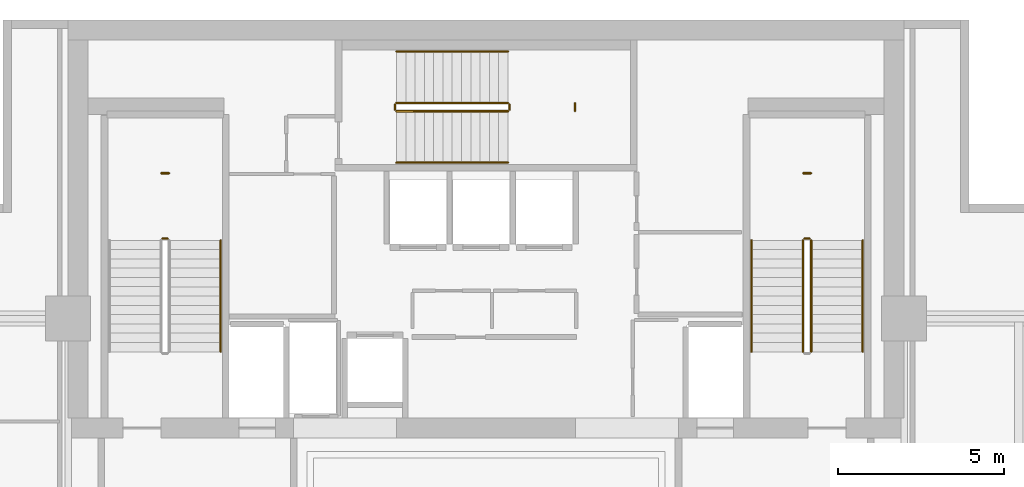
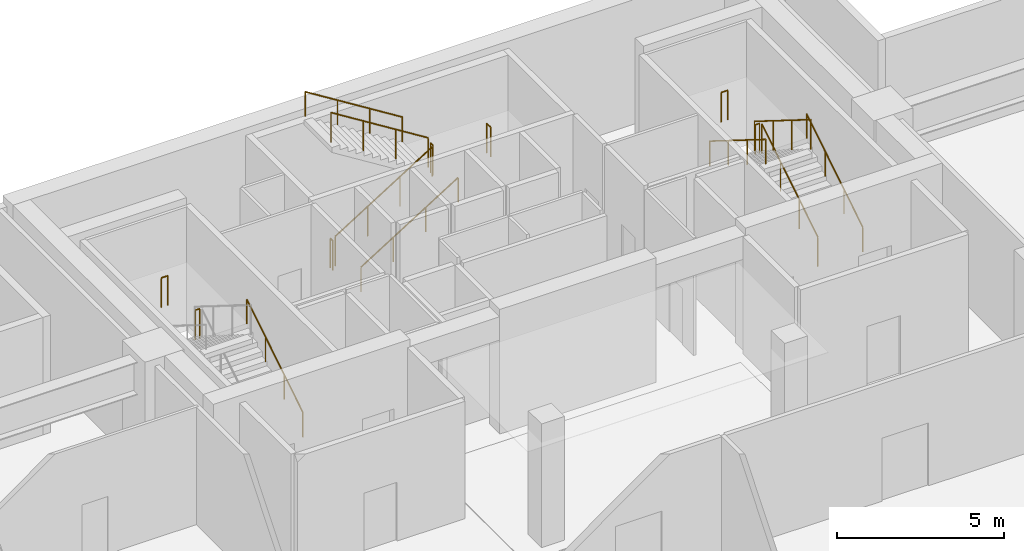
# One storey, part 23 of 23: 16 railings.
"""IFC4 building model written with IfcOpenShell, lengths in metres."""

from ifc_helpers import new_model, si_unit, direction, frame, origin, origin_2d, place, context, subcontext, project, spatial, circle, extrude, material, type_object, element, save


model = new_model("IFC4")

# Units and contexts
model_context = context("Model", 3, precision=1e-05, world=origin(), true_north=direction((0.0, 1.0)))
body_context = subcontext(model_context, "Body", "Model", "MODEL_VIEW")
ifc_project = project(units=[si_unit("LENGTHUNIT", "METRE"), si_unit("AREAUNIT", "SQUARE_METRE"), si_unit("VOLUMEUNIT", "CUBIC_METRE"), si_unit("PLANEANGLEUNIT", "RADIAN"), si_unit("MASSUNIT", "GRAM", prefix="KILO")], contexts=[model_context])

# Site, building, storey
site_placement = place(None, origin())
site = spatial("IfcSite", under=ifc_project, at=site_placement, CompositionType="ELEMENT")
building_placement = place(site_placement, origin())
building = spatial("IfcBuilding", under=site, at=building_placement, Name="Maruvema Waterfront Hotel and Observation Tower", CompositionType="ELEMENT")
storey_placement = place(building_placement, frame((0.0, 0.0, 349.64990234375)))
storey = spatial("IfcBuildingStorey", under=building, at=storey_placement, Name="L86", CompositionType="ELEMENT", Elevation=349.64990234375)

# Railings
ifc_material_1 = material(Name="Brushed stainless steel Grade 316", Category="steel")
railing_type_1 = type_object("IfcRailingType", Name="Ramp Continuous Wall Handrail 920 mm", PredefinedType="HANDRAIL", material=ifc_material_1)
railing_1_placement = place(storey_placement, frame((29.800048828125, 44.0, 0.175048828125)))
element("IfcRailing", 1, at=railing_1_placement, inside=storey, type_object=railing_type_1, Name="L86 ST-01 stair handrail 1", PredefinedType="HANDRAIL", context=body_context, shape_type="SweptSolid", body=[
    extrude(circle(Radius=0.02392578125, at=origin_2d()), frame((0.0, 0.0, 0.89599609375), z_axis=(0.0, 0.847994842521, 0.530004478338), x_axis=(-1.0, 0.0, 0.0)), (0.0, 0.0, 1.0), 3.96240234375),
    extrude(circle(Radius=0.02099609375, at=origin_2d()), origin(), (0.0, 0.0, 1.0), 0.871826171875),
    extrude(circle(Radius=0.02099609375, at=origin_2d()), frame((0.0, 1.1201171875, 0.699951171875)), (0.0, 0.0, 1.0), 0.871826171875),
    extrude(circle(Radius=0.02099609375, at=origin_2d()), frame((0.0, 2.239990234375, 1.400146484375)), (0.0, 0.0, 1.0), 0.871826171875),
    extrude(circle(Radius=0.02099609375, at=origin_2d()), frame((0.0, 3.360107421875, 2.10009765625)), (0.0, 0.0, 1.0), 0.871826171875),
])
railing_2_placement = place(storey_placement, frame((35.10009765625, 49.699951171875, 0.175048828125)))
element("IfcRailing", 2, at=railing_2_placement, inside=storey, type_object=railing_type_1, Name="L86 ST-02 stair handrail 1", PredefinedType="HANDRAIL", context=body_context, shape_type="SweptSolid", body=[
    extrude(circle(Radius=0.02392578125, at=origin_2d()), frame((0.0, 0.0, 0.89599609375), z_axis=(0.847977533471, 0.0, 0.530032171408), x_axis=(0.0, 1.0, 0.0)), (0.0, 0.0, 1.0), 3.962158203125),
    extrude(circle(Radius=0.02099609375, at=origin_2d()), origin(), (0.0, 0.0, 1.0), 0.871826171875),
    extrude(circle(Radius=0.02099609375, at=origin_2d()), frame((1.119873046875, 0.0, 0.699951171875)), (0.0, 0.0, 1.0), 0.871826171875),
    extrude(circle(Radius=0.02099609375, at=origin_2d()), frame((2.239990234375, 0.0, 1.400146484375)), (0.0, 0.0, 1.0), 0.871826171875),
    extrude(circle(Radius=0.02099609375, at=origin_2d()), frame((3.35986328125, 0.0, 2.10009765625)), (0.0, 0.0, 1.0), 0.871826171875),
])
railing_3_placement = place(storey_placement, frame((38.4599609375, 53.050048828125, 2.4501953125)))
element("IfcRailing", 3, at=railing_3_placement, inside=storey, type_object=railing_type_1, Name="L86 ST-02 stair handrail 2", PredefinedType="HANDRAIL", context=body_context, shape_type="SweptSolid", body=[
    extrude(circle(Radius=0.02392578125, at=origin_2d()), frame((0.0, 0.0, 0.89599609375), z_axis=(-0.848005227453, 0.0, 0.529987862325), x_axis=(0.0, -1.0, 0.0)), (0.0, 0.0, 1.0), 3.962158203125),
    extrude(circle(Radius=0.02099609375, at=origin_2d()), origin(), (0.0, 0.0, 1.0), 0.871826171875),
    extrude(circle(Radius=0.02099609375, at=origin_2d()), frame((-1.119873046875, 0.0, 0.699951171875)), (0.0, 0.0, 1.0), 0.871826171875),
    extrude(circle(Radius=0.02099609375, at=origin_2d()), frame((-2.239990234375, 0.0, 1.39990234375)), (0.0, 0.0, 1.0), 0.871826171875),
    extrude(circle(Radius=0.02099609375, at=origin_2d()), frame((-3.35986328125, 0.0, 2.099853515625)), (0.0, 0.0, 1.0), 0.871826171875),
])
railing_4_placement = place(storey_placement, frame((49.14990234375, 44.0, 0.175048828125)))
element("IfcRailing", 4, at=railing_4_placement, inside=storey, type_object=railing_type_1, Name="L86 ST-03 stair handrail 1", PredefinedType="HANDRAIL", context=body_context, shape_type="SweptSolid", body=[
    extrude(circle(Radius=0.02392578125, at=origin_2d()), frame((0.0, 0.0, 0.89599609375), z_axis=(0.0, 0.847994842521, 0.530004478338), x_axis=(-1.0, 0.0, 0.0)), (0.0, 0.0, 1.0), 3.96240234375),
    extrude(circle(Radius=0.02099609375, at=origin_2d()), origin(), (0.0, 0.0, 1.0), 0.871826171875),
    extrude(circle(Radius=0.02099609375, at=origin_2d()), frame((0.0, 1.1201171875, 0.699951171875)), (0.0, 0.0, 1.0), 0.871826171875),
    extrude(circle(Radius=0.02099609375, at=origin_2d()), frame((0.0, 2.239990234375, 1.400146484375)), (0.0, 0.0, 1.0), 0.871826171875),
    extrude(circle(Radius=0.02099609375, at=origin_2d()), frame((0.0, 3.360107421875, 2.10009765625)), (0.0, 0.0, 1.0), 0.871826171875),
])
railing_5_placement = place(storey_placement, frame((45.800048828125, 47.360107421875, 2.4501953125)))
element("IfcRailing", 5, at=railing_5_placement, inside=storey, type_object=railing_type_1, Name="L86 ST-03 stair handrail 2", PredefinedType="HANDRAIL", context=body_context, shape_type="SweptSolid", body=[
    extrude(circle(Radius=0.02392578125, at=origin_2d()), frame((0.0, 0.0, 0.89599609375), z_axis=(0.0, -0.848022534174, 0.529960169762), x_axis=(1.0, 0.0, 0.0)), (0.0, 0.0, 1.0), 3.96240234375),
    extrude(circle(Radius=0.02099609375, at=origin_2d()), origin(), (0.0, 0.0, 1.0), 0.871826171875),
    extrude(circle(Radius=0.02099609375, at=origin_2d()), frame((0.0, -1.1201171875, 0.699951171875)), (0.0, 0.0, 1.0), 0.871826171875),
    extrude(circle(Radius=0.02099609375, at=origin_2d()), frame((0.0, -2.239990234375, 1.39990234375)), (0.0, 0.0, 1.0), 0.871826171875),
    extrude(circle(Radius=0.02099609375, at=origin_2d()), frame((0.0, -3.360107421875, 2.099853515625)), (0.0, 0.0, 1.0), 0.871826171875),
])
ifc_material_2 = material(Name="Brushed stainless steel Grade 316", Category="steel")
railing_type_2 = type_object("IfcRailingType", Name="Ramp and Terrace Guard Balustrade 1100 mm", PredefinedType="BALUSTRADE", material=ifc_material_2)
railing_6_placement = place(storey_placement, frame((28.199951171875, 47.409912109375, 2.275146484375)))
element("IfcRailing", 6, at=railing_6_placement, inside=storey, type_object=railing_type_2, Name="L86 ST-01 stair guard 2", PredefinedType="BALUSTRADE", context=body_context, shape_type="SweptSolid", body=[
    extrude(circle(Radius=0.02392578125, at=origin_2d()), frame((0.0, 0.0, 1.076171875), z_axis=(-1.0, 0.0, 0.0), x_axis=(0.0, -1.0, 0.0)), (0.0, 0.0, 1.0), 0.14990234375),
    extrude(circle(Radius=0.02099609375, at=origin_2d()), origin(), (0.0, 0.0, 1.0), 1.052001953125),
    extrude(circle(Radius=0.02099609375, at=origin_2d()), frame((-0.14990234375, 0.0, 0.0)), (0.0, 0.0, 1.0), 1.052001953125),
])
railing_7_placement = place(storey_placement, frame((28.239990234375, 49.3798828125, 2.275146484375)))
element("IfcRailing", 7, at=railing_7_placement, inside=storey, type_object=railing_type_2, Name="L86 ST-01 Half-Landing Slot Guard", PredefinedType="BALUSTRADE", context=body_context, shape_type="SweptSolid", body=[
    extrude(circle(Radius=0.02392578125, at=origin_2d()), frame((0.0, 0.0, 1.076171875), z_axis=(-1.0, 0.0, 0.0), x_axis=(0.0, -1.0, 0.0)), (0.0, 0.0, 1.0), 0.22998046875),
    extrude(circle(Radius=0.02099609375, at=origin_2d()), origin(), (0.0, 0.0, 1.0), 1.052001953125),
    extrude(circle(Radius=0.02099609375, at=origin_2d()), frame((-0.22998046875, 0.0, 0.0)), (0.0, 0.0, 1.0), 1.052001953125),
])
railing_8_placement = place(storey_placement, frame((35.10009765625, 51.25, 0.175048828125)))
element("IfcRailing", 8, at=railing_8_placement, inside=storey, type_object=railing_type_2, Name="L86 ST-02 stair guard 1", PredefinedType="BALUSTRADE", context=body_context, shape_type="SweptSolid", body=[
    extrude(circle(Radius=0.02392578125, at=origin_2d()), frame((0.0, 0.0, 1.076171875), z_axis=(0.847977533471, 0.0, 0.530032171408), x_axis=(0.0, 1.0, 0.0)), (0.0, 0.0, 1.0), 3.962158203125),
    extrude(circle(Radius=0.02099609375, at=origin_2d()), origin(), (0.0, 0.0, 1.0), 1.052001953125),
    extrude(circle(Radius=0.02099609375, at=origin_2d()), frame((1.119873046875, 0.0, 0.699951171875)), (0.0, 0.0, 1.0), 1.052001953125),
    extrude(circle(Radius=0.02099609375, at=origin_2d()), frame((2.239990234375, 0.0, 1.400146484375)), (0.0, 0.0, 1.0), 1.052001953125),
    extrude(circle(Radius=0.02099609375, at=origin_2d()), frame((3.35986328125, 0.0, 2.10009765625)), (0.0, 0.0, 1.0), 1.052001953125),
])
railing_9_placement = place(storey_placement, frame((38.510009765625, 51.300048828125, 2.275146484375)))
element("IfcRailing", 9, at=railing_9_placement, inside=storey, type_object=railing_type_2, Name="L86 ST-02 stair guard 2", PredefinedType="BALUSTRADE", context=body_context, shape_type="SweptSolid", body=[
    extrude(circle(Radius=0.02392578125, at=origin_2d()), frame((0.0, 0.0, 1.076171875), z_axis=(0.0, 1.0, 0.0), x_axis=(-1.0, 0.0, 0.0)), (0.0, 0.0, 1.0), 0.14990234375),
    extrude(circle(Radius=0.02099609375, at=origin_2d()), origin(), (0.0, 0.0, 1.0), 1.052001953125),
    extrude(circle(Radius=0.02099609375, at=origin_2d()), frame((0.0, 0.14990234375, 0.0)), (0.0, 0.0, 1.0), 1.052001953125),
])
railing_10_placement = place(storey_placement, frame((38.4599609375, 51.5, 2.4501953125)))
element("IfcRailing", 10, at=railing_10_placement, inside=storey, type_object=railing_type_2, Name="L86 ST-02 stair guard 3", PredefinedType="BALUSTRADE", context=body_context, shape_type="SweptSolid", body=[
    extrude(circle(Radius=0.02392578125, at=origin_2d()), frame((0.0, 0.0, 1.076171875), z_axis=(-0.848005227453, 0.0, 0.529987862325), x_axis=(0.0, -1.0, 0.0)), (0.0, 0.0, 1.0), 3.962158203125),
    extrude(circle(Radius=0.02099609375, at=origin_2d()), origin(), (0.0, 0.0, 1.0), 1.052001953125),
    extrude(circle(Radius=0.02099609375, at=origin_2d()), frame((-1.119873046875, 0.0, 0.699951171875)), (0.0, 0.0, 1.0), 1.052001953125),
    extrude(circle(Radius=0.02099609375, at=origin_2d()), frame((-2.239990234375, 0.0, 1.39990234375)), (0.0, 0.0, 1.0), 1.052001953125),
    extrude(circle(Radius=0.02099609375, at=origin_2d()), frame((-3.35986328125, 0.0, 2.099853515625)), (0.0, 0.0, 1.0), 1.052001953125),
])
railing_11_placement = place(storey_placement, frame((35.050048828125, 51.300048828125, 0.0)))
element("IfcRailing", 11, at=railing_11_placement, inside=storey, type_object=railing_type_2, Name="L86 ST-02 stair guard 4", PredefinedType="BALUSTRADE", context=body_context, shape_type="SweptSolid", body=[
    extrude(circle(Radius=0.02392578125, at=origin_2d()), frame((0.0, 0.0, 1.076171875), z_axis=(0.0, 1.0, 0.0), x_axis=(-1.0, 0.0, 0.0)), (0.0, 0.0, 1.0), 0.14990234375),
    extrude(circle(Radius=0.02099609375, at=origin_2d()), origin(), (0.0, 0.0, 1.0), 1.052001953125),
    extrude(circle(Radius=0.02099609375, at=origin_2d()), frame((0.0, 0.14990234375, 0.0)), (0.0, 0.0, 1.0), 1.052001953125),
])
railing_12_placement = place(storey_placement, frame((40.47998046875, 51.260009765625, 2.275146484375)))
element("IfcRailing", 12, at=railing_12_placement, inside=storey, type_object=railing_type_2, Name="L86 ST-02 Half-Landing Slot Guard", PredefinedType="BALUSTRADE", context=body_context, shape_type="SweptSolid", body=[
    extrude(circle(Radius=0.02392578125, at=origin_2d()), frame((0.0, 0.0, 1.076171875), z_axis=(0.0, 1.0, 0.0), x_axis=(-1.0, 0.0, 0.0)), (0.0, 0.0, 1.0), 0.22998046875),
    extrude(circle(Radius=0.02099609375, at=origin_2d()), origin(), (0.0, 0.0, 1.0), 1.052001953125),
    extrude(circle(Radius=0.02099609375, at=origin_2d()), frame((0.0, 0.22998046875, 0.0)), (0.0, 0.0, 1.0), 1.052001953125),
])
railing_13_placement = place(storey_placement, frame((47.60009765625, 44.0, 0.175048828125)))
element("IfcRailing", 13, at=railing_13_placement, inside=storey, type_object=railing_type_2, Name="L86 ST-03 stair guard 1", PredefinedType="BALUSTRADE", context=body_context, shape_type="SweptSolid", body=[
    extrude(circle(Radius=0.02392578125, at=origin_2d()), frame((0.0, 0.0, 1.076171875), z_axis=(0.0, 0.847994842521, 0.530004478338), x_axis=(-1.0, 0.0, 0.0)), (0.0, 0.0, 1.0), 3.96240234375),
    extrude(circle(Radius=0.02099609375, at=origin_2d()), origin(), (0.0, 0.0, 1.0), 1.052001953125),
    extrude(circle(Radius=0.02099609375, at=origin_2d()), frame((0.0, 1.1201171875, 0.699951171875)), (0.0, 0.0, 1.0), 1.052001953125),
    extrude(circle(Radius=0.02099609375, at=origin_2d()), frame((0.0, 2.239990234375, 1.400146484375)), (0.0, 0.0, 1.0), 1.052001953125),
    extrude(circle(Radius=0.02099609375, at=origin_2d()), frame((0.0, 3.360107421875, 2.10009765625)), (0.0, 0.0, 1.0), 1.052001953125),
])
railing_14_placement = place(storey_placement, frame((47.550048828125, 47.409912109375, 2.275146484375)))
element("IfcRailing", 14, at=railing_14_placement, inside=storey, type_object=railing_type_2, Name="L86 ST-03 stair guard 2", PredefinedType="BALUSTRADE", context=body_context, shape_type="SweptSolid", body=[
    extrude(circle(Radius=0.02392578125, at=origin_2d()), frame((0.0, 0.0, 1.076171875), z_axis=(-1.0, 0.0, 0.0), x_axis=(0.0, -1.0, 0.0)), (0.0, 0.0, 1.0), 0.150146484375),
    extrude(circle(Radius=0.02099609375, at=origin_2d()), origin(), (0.0, 0.0, 1.0), 1.052001953125),
    extrude(circle(Radius=0.02099609375, at=origin_2d()), frame((-0.150146484375, 0.0, 0.0)), (0.0, 0.0, 1.0), 1.052001953125),
])
railing_15_placement = place(storey_placement, frame((47.35009765625, 47.360107421875, 2.4501953125)))
element("IfcRailing", 15, at=railing_15_placement, inside=storey, type_object=railing_type_2, Name="L86 ST-03 stair guard 3", PredefinedType="BALUSTRADE", context=body_context, shape_type="SweptSolid", body=[
    extrude(circle(Radius=0.02392578125, at=origin_2d()), frame((0.0, 0.0, 1.076171875), z_axis=(0.0, -0.848022534174, 0.529960169762), x_axis=(1.0, 0.0, 0.0)), (0.0, 0.0, 1.0), 3.96240234375),
    extrude(circle(Radius=0.02099609375, at=origin_2d()), origin(), (0.0, 0.0, 1.0), 1.052001953125),
    extrude(circle(Radius=0.02099609375, at=origin_2d()), frame((0.0, -1.1201171875, 0.699951171875)), (0.0, 0.0, 1.0), 1.052001953125),
    extrude(circle(Radius=0.02099609375, at=origin_2d()), frame((0.0, -2.239990234375, 1.39990234375)), (0.0, 0.0, 1.0), 1.052001953125),
    extrude(circle(Radius=0.02099609375, at=origin_2d()), frame((0.0, -3.360107421875, 2.099853515625)), (0.0, 0.0, 1.0), 1.052001953125),
])
railing_16_placement = place(storey_placement, frame((47.590087890625, 49.3798828125, 2.275146484375)))
element("IfcRailing", 16, at=railing_16_placement, inside=storey, type_object=railing_type_2, Name="L86 ST-03 Half-Landing Slot Guard", PredefinedType="BALUSTRADE", context=body_context, shape_type="SweptSolid", body=[
    extrude(circle(Radius=0.02392578125, at=origin_2d()), frame((0.0, 0.0, 1.076171875), z_axis=(-1.0, 0.0, 0.0), x_axis=(0.0, -1.0, 0.0)), (0.0, 0.0, 1.0), 0.22998046875),
    extrude(circle(Radius=0.02099609375, at=origin_2d()), origin(), (0.0, 0.0, 1.0), 1.052001953125),
    extrude(circle(Radius=0.02099609375, at=origin_2d()), frame((-0.22998046875, 0.0, 0.0)), (0.0, 0.0, 1.0), 1.052001953125),
])

save(model, "model.ifc")
